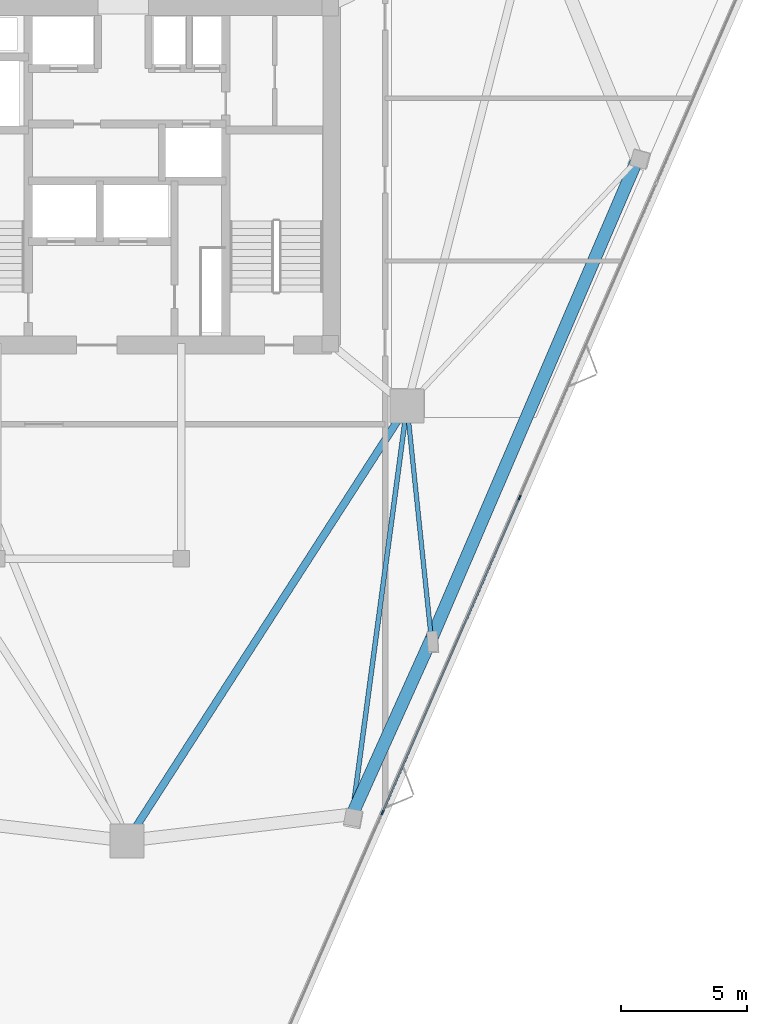
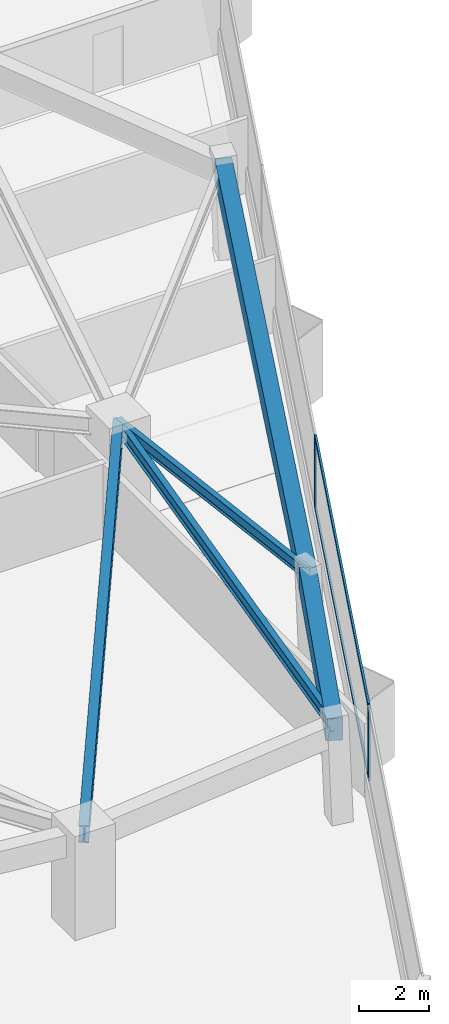
# One storey, part 4 of 12: 5 beams, 4 members, 1 element without a shape of its own.
"""IFC4 building model written with IfcOpenShell, lengths in metres."""

import ifcopenshell
import ifcopenshell.guid

model = None  # the IFC model being written
_history = None  # IfcOwnerHistory: only IFC2X3 demands one
_inside = {}  # id of a spatial element -> (the spatial element, [elements in it])
_under = {}  # id of a project, library or spatial element -> (it, [spatial elements below it])
_declared = {}  # id of a project -> (the project, [libraries it declares])
_typed = {}  # id of a type object -> (the type object, [elements of that type])
_made_of = {}  # id of a material, layer set ... -> (it, [elements and type objects made of it])


def new_model(schema):
    """Start an empty IFC model of exactly this schema.

    Asked for "IFC4X3", IfcOpenShell would pick the latest addendum, in which some entities
    have other attributes; the version numbers below select the first issue.
    IFC2X3 requires an IfcOwnerHistory on every rooted entity: one is made here for all.
    """
    global model, _history
    if schema == "IFC4X3":
        model = ifcopenshell.file(schema_version=(4, 3, 0, 0))
    else:
        model = ifcopenshell.file(schema=schema)
    _inside.clear()
    _under.clear()
    _declared.clear()
    _typed.clear()
    _made_of.clear()
    _history = None
    if model.schema == "IFC2X3":
        org = make("IfcOrganization", Name="unknown")
        user = make(
            "IfcPersonAndOrganization",
            ThePerson=make("IfcPerson", FamilyName="unknown"),
            TheOrganization=org,
        )
        app = make(
            "IfcApplication",
            ApplicationDeveloper=org,
            Version="unknown",
            ApplicationFullName="unknown",
            ApplicationIdentifier="unknown",
        )
        _history = make(
            "IfcOwnerHistory",
            OwningUser=user,
            OwningApplication=app,
            ChangeAction="ADDED",
            CreationDate=0,
        )
    return model


def make(cls, **values):
    """One entity of the class cls with the attributes given. An attribute that is None is left unset."""
    return model.create_entity(
        cls, **{name: value for name, value in values.items() if value is not None}
    )


def rooted(cls, **values):
    """An entity with a GlobalId (a new one), such as an element, a storey or a relation."""
    return make(cls, GlobalId=ifcopenshell.guid.new(), OwnerHistory=_history, **values)


def si_unit(unit_type, name, prefix=None):
    """IfcSIUnit, for example si_unit("LENGTHUNIT", "METRE", prefix="MILLI")."""
    return make("IfcSIUnit", UnitType=unit_type, Prefix=prefix, Name=name)


def assignment(units):
    """IfcUnitAssignment: the units of a project."""
    return None if units is None else make("IfcUnitAssignment", Units=units)


def point(xyz):
    """IfcCartesianPoint."""
    return None if xyz is None else make("IfcCartesianPoint", Coordinates=xyz)


def direction(xyz):
    """IfcDirection."""
    return None if xyz is None else make("IfcDirection", DirectionRatios=xyz)


def frame(location, z_axis=None, x_axis=None):
    """IfcAxis2Placement3D, a coordinate frame: its origin and axes. An axis left out is left unset."""
    return make(
        "IfcAxis2Placement3D",
        Location=point(location),
        Axis=direction(z_axis),
        RefDirection=direction(x_axis),
    )


def frame_2d(location, x_axis=None):
    """IfcAxis2Placement2D, a coordinate frame in the plane: its origin and x axis."""
    return make(
        "IfcAxis2Placement2D", Location=point(location), RefDirection=direction(x_axis)
    )


def origin():
    """The frame at (0, 0, 0) with its axes left unset."""
    return frame((0.0, 0.0, 0.0))


def origin_2d():
    """The frame at (0, 0) in the plane with its x axis left unset."""
    return frame_2d((0.0, 0.0))


def place(relative_to, where):
    """IfcLocalPlacement: puts the frame where relative to a parent placement (None: the world)."""
    return make(
        "IfcLocalPlacement", PlacementRelTo=relative_to, RelativePlacement=where
    )


def context(
    kind, dimensions, precision=None, world=None, true_north=None, identifier=None
):
    """IfcGeometricRepresentationContext, for example the 3D "Model" context."""
    return make(
        "IfcGeometricRepresentationContext",
        ContextIdentifier=identifier,
        ContextType=kind,
        CoordinateSpaceDimension=dimensions,
        Precision=precision,
        WorldCoordinateSystem=world,
        TrueNorth=true_north,
    )


def subcontext(parent, identifier, kind, view, scale=None):
    """IfcGeometricRepresentationSubContext, for example "Body" below "Model"."""
    return make(
        "IfcGeometricRepresentationSubContext",
        ContextIdentifier=identifier,
        ContextType=kind,
        ParentContext=parent,
        TargetScale=scale,
        TargetView=view,
    )


def project(units=None, contexts=None):
    """IfcProject with its units and contexts."""
    return rooted(
        "IfcProject",
        Name="project",
        RepresentationContexts=contexts,
        UnitsInContext=assignment(units),
    )


def spatial(cls, under=None, at=None, **own):
    """A site, building, storey or space (cls), placed at a placement, below another one or the project."""
    s = rooted(cls, ObjectPlacement=at, **own)
    if under is not None:
        _under.setdefault(under.id(), (under, []))[1].append(s)
    return s


def profile(cls, at=None, kind="AREA", **sizes):
    """A parametric profile (cls). Its sizes go by their IFC names, for example OverallWidth=200.0."""
    return make(cls, ProfileType=kind, Position=at, **sizes)


def rectangle(**sizes):
    """IfcRectangleProfileDef."""
    return profile("IfcRectangleProfileDef", **sizes)


def i_section(**sizes):
    """IfcIShapeProfileDef."""
    return profile("IfcIShapeProfileDef", **sizes)


def extrude(swept, where, along, depth):
    """IfcExtrudedAreaSolid: the profile swept, set in the frame where, extruded along a direction by depth."""
    return make(
        "IfcExtrudedAreaSolid",
        SweptArea=swept,
        Position=where,
        ExtrudedDirection=direction(along),
        Depth=depth,
    )


def shape(context_of_items, identifier, shape_type, items):
    """IfcShapeRepresentation: the items that make up one representation, for example the "Body"."""
    return make(
        "IfcShapeRepresentation",
        ContextOfItems=context_of_items,
        RepresentationIdentifier=identifier,
        RepresentationType=shape_type,
        Items=items,
    )


def material(Name=None, Category=None):
    """IfcMaterial."""
    return make("IfcMaterial", Name=Name, Category=Category)


def layer(
    of_material, thickness, ventilated=None, Name=None, Category=None, Priority=None
):
    """IfcMaterialLayer: one layer of a wall or slab, of a material (None: an air gap)."""
    return make(
        "IfcMaterialLayer",
        Material=of_material,
        LayerThickness=thickness,
        IsVentilated=ventilated,
        Name=Name,
        Category=Category,
        Priority=Priority,
    )


def layer_set(layers, Name=None):
    """IfcMaterialLayerSet."""
    return make("IfcMaterialLayerSet", MaterialLayers=layers, LayerSetName=Name)


def material_profile(
    of_material, cross_section, Name=None, Category=None, Priority=None
):
    """IfcMaterialProfile: a cross section and its material."""
    return make(
        "IfcMaterialProfile",
        Name=Name,
        Material=of_material,
        Profile=cross_section,
        Priority=Priority,
        Category=Category,
    )


def profile_set(profiles, Name=None, composite=None):
    """IfcMaterialProfileSet."""
    return make(
        "IfcMaterialProfileSet",
        Name=Name,
        MaterialProfiles=profiles,
        CompositeProfile=composite,
    )


def made_of(thing, what):
    """Note that an element or type object is made of a material, layer set ...; save() writes the relation."""
    if what is not None:
        _made_of.setdefault(what.id(), (what, []))[1].append(thing)
    return thing


def type_object(cls, material=None, **own):
    """A type object (cls), such as IfcWallType, which elements share."""
    return made_of(rooted(cls, **own), material)


def element(
    cls,
    number,
    at=None,
    inside=None,
    cuts=None,
    type_object=None,
    material=None,
    context=None,
    identifier="Body",
    shape_type=None,
    held_by="IfcProductDefinitionShape",
    body=None,
    shapes=None,
    **own,
):
    """One element of the class cls, such as IfcWall. Its Tag is "e" and its number.

    at: its placement. inside: the storey or other place that contains it. cuts: it is an
    opening in that element (IfcRelVoidsElement). A single representation is given by context,
    identifier, shape_type and body (its items); several are given by shapes. held_by: the class
    of the entity that holds the representations. save() writes the other relations.
    """
    e = rooted(cls, Tag="e%d" % number, ObjectPlacement=at, **own)
    if body is not None:
        shapes = [shape(context, identifier, shape_type, body)]
    if shapes is not None:
        e.Representation = make(held_by, Representations=shapes)
    if inside is not None:
        _inside.setdefault(inside.id(), (inside, []))[1].append(e)
    if cuts is not None:
        rooted(
            "IfcRelVoidsElement", RelatingBuildingElement=cuts, RelatedOpeningElement=e
        )
    if type_object is not None:
        _typed.setdefault(type_object.id(), (type_object, []))[1].append(e)
    return made_of(e, material)


def aggregate(whole, parts):
    """IfcRelAggregates: a whole, such as a stair, and the parts it consists of."""
    return rooted("IfcRelAggregates", RelatingObject=whole, RelatedObjects=parts)


def save(model, path):
    """Write the relations noted so far, then the file.

    IfcRelAggregates (storeys below a building ...), IfcRelContainedInSpatialStructure (elements
    in a storey), IfcRelDefinesByType, IfcRelAssociatesMaterial and IfcRelDeclares: one each for
    every whole, place, type object, material and project.
    """
    for whole, parts in _under.values():
        aggregate(whole, parts)
    for where, things in _inside.values():
        rooted(
            "IfcRelContainedInSpatialStructure",
            RelatedElements=things,
            RelatingStructure=where,
        )
    for kind, things in _typed.values():
        rooted("IfcRelDefinesByType", RelatedObjects=things, RelatingType=kind)
    for what, things in _made_of.values():
        rooted("IfcRelAssociatesMaterial", RelatedObjects=things, RelatingMaterial=what)
    for by, libraries in _declared.values():
        rooted("IfcRelDeclares", RelatingContext=by, RelatedDefinitions=libraries)
    model.write(path)


model = new_model("IFC4")

# Units and contexts
model_context = context("Model", 3, precision=1e-05, world=origin(), true_north=direction((0.0, 1.0)))
body_context = subcontext(model_context, "Body", "Model", "MODEL_VIEW")
ifc_project = project(units=[si_unit("LENGTHUNIT", "METRE"), si_unit("AREAUNIT", "SQUARE_METRE"), si_unit("VOLUMEUNIT", "CUBIC_METRE"), si_unit("PLANEANGLEUNIT", "RADIAN"), si_unit("MASSUNIT", "GRAM", prefix="KILO")], contexts=[model_context])

# Site, building, storey
site_placement = place(None, origin())
site = spatial("IfcSite", under=ifc_project, at=site_placement, CompositionType="ELEMENT")
building_placement = place(site_placement, origin())
building = spatial("IfcBuilding", under=site, at=building_placement, Name="Talyreon Biosciences Tower", CompositionType="ELEMENT")
storey_placement = place(building_placement, frame((0.0, 0.0, 179.39990234375)))
storey = spatial("IfcBuildingStorey", under=building, at=storey_placement, Name="L47", CompositionType="ELEMENT", Elevation=179.39990234375)

# Curtain wall, members
ifc_material_1 = material(Name="Thermally broken aluminium and low-E glazing", Category="aluminium")
ifc_layer = layer(ifc_material_1, 0.179931640625)
ifc_layer_set = layer_set([ifc_layer], Name="Thermally broken aluminium and low-E glazing")
curtain_wall_type = type_object("IfcCurtainWallType", Name="CurtainWall_Zone4Optical", PredefinedType="NOTDEFINED", material=ifc_layer_set)
curtain_wall_placement = place(storey_placement, origin())
curtain_wall = element("IfcCurtainWall", 1, at=curtain_wall_placement, inside=storey, type_object=curtain_wall_type, Name="L47 Unitised Curtain Wall FCW-L47-08", PredefinedType="NOTDEFINED")
ifc_material_2 = material(Name="Anodised thermally broken aluminium", Category="aluminium")
ifc_material_profile_1 = material_profile(ifc_material_2, rectangle(XDim=0.06494140625, YDim=0.179931640625, at=origin_2d()), Name="ALUM MULLION 65x180")
ifc_profile_set_1 = profile_set([ifc_material_profile_1], Name="Anodised thermally broken aluminium")
member_type_1 = type_object("IfcMemberType", Name="CWMullion_65x180", PredefinedType="MULLION", material=ifc_profile_set_1)
member_1_placement = place(storey_placement, frame((81.54248046875, 55.251953125, 0.81005859375), z_axis=(0.0, 0.0, 1.0), x_axis=(0.916912184291, -0.399089020519, 0.0)))
member_1 = element("IfcMember", 2, at=member_1_placement, type_object=member_type_1, Name="CW5 mullion 3", PredefinedType="MULLION", context=body_context, shape_type="SweptSolid", body=[
    extrude(rectangle(XDim=0.06494140625, YDim=0.179931640625, at=origin_2d()), origin(), (0.0, 0.0, 1.0), 2.590087890625),
])
member_2_placement = place(storey_placement, frame((76.11865234375, 42.7900390625, 0.81005859375), z_axis=(0.0, 0.0, 1.0), x_axis=(0.916912184291, -0.399089020519, 0.0)))
member_2 = element("IfcMember", 3, at=member_2_placement, type_object=member_type_1, Name="CW5 mullion 4", PredefinedType="MULLION", context=body_context, shape_type="SweptSolid", body=[
    extrude(rectangle(XDim=0.06494140625, YDim=0.179931640625, at=origin_2d()), origin(), (0.0, 0.0, 1.0), 2.590087890625),
])
ifc_material_profile_2 = material_profile(ifc_material_2, rectangle(XDim=0.06494140625, YDim=0.139892578125, at=origin_2d()), Name="ALUM TRANSOM 65x140")
ifc_profile_set_2 = profile_set([ifc_material_profile_2], Name="Anodised thermally broken aluminium")
member_type_2 = type_object("IfcMemberType", Name="CWTransom_65x140", PredefinedType="USERDEFINED", material=ifc_profile_set_2)
member_3_placement = place(storey_placement, frame((81.529541015625, 55.22216796875, 0.842529296875), z_axis=(-0.399075882405, -0.916917902586, 0.0), x_axis=(0.916917902586, -0.399075882405, 0.0)))
member_3 = element("IfcMember", 4, at=member_3_placement, type_object=member_type_2, Name="CW5 transom 3.1", ObjectType="TRANSOM", PredefinedType="USERDEFINED", context=body_context, shape_type="SweptSolid", body=[
    extrude(rectangle(XDim=0.06494140625, YDim=0.139892578125, at=origin_2d()), origin(), (0.0, 0.0, 1.0), 13.526123046875),
])
member_4_placement = place(storey_placement, frame((81.529541015625, 55.22216796875, 3.36767578125), z_axis=(-0.399075882405, -0.916917902586, 0.0), x_axis=(0.916917902586, -0.399075882405, 0.0)))
member_4 = element("IfcMember", 5, at=member_4_placement, type_object=member_type_2, Name="CW5 transom 3.2", ObjectType="TRANSOM", PredefinedType="USERDEFINED", context=body_context, shape_type="SweptSolid", body=[
    extrude(rectangle(XDim=0.06494140625, YDim=0.139892578125, at=origin_2d()), origin(), (0.0, 0.0, 1.0), 13.526123046875),
])
aggregate(curtain_wall, [member_1, member_2, member_3, member_4])

# Beams
ifc_material_3 = material(Name="Precast concrete C45/55", Category="concrete")
ifc_material_profile_3 = material_profile(ifc_material_3, rectangle(XDim=0.5, YDim=0.780029296875, at=origin_2d()), Name="RCB 500x780")
ifc_profile_set_3 = profile_set([ifc_material_profile_3], Name="Precast concrete C45/55")
beam_type_1 = type_object("IfcBeamType", Name="ExpressedSpandrel_500x780", PredefinedType="SPANDREL", material=ifc_profile_set_3)
beam_1_placement = place(storey_placement, frame((74.92041015625, 42.718505859375, 3.010009765625), z_axis=(0.411126044494, 0.911578507611, 0.0), x_axis=(-0.911578507611, 0.411126044494, 0.0)))
element("IfcBeam", 6, at=beam_1_placement, inside=storey, type_object=beam_type_1, Name="L47 Expressed Horizontal Concrete Spandrel 02", PredefinedType="SPANDREL", context=body_context, shape_type="SweptSolid", body=[
    extrude(rectangle(XDim=0.5, YDim=0.780029296875, at=origin_2d()), origin(), (0.0, 0.0, 1.0), 7.61181640625),
])
beam_2_placement = place(storey_placement, frame((78.0498046875, 49.6572265625, 3.010009765625), z_axis=(0.394643729795, 0.918834221464, 0.0), x_axis=(-0.918834221464, 0.394643729795, 0.0)))
element("IfcBeam", 7, at=beam_2_placement, inside=storey, type_object=beam_type_1, Name="L47 Expressed Horizontal Concrete Spandrel 03", PredefinedType="SPANDREL", context=body_context, shape_type="SweptSolid", body=[
    extrude(rectangle(XDim=0.5, YDim=0.780029296875, at=origin_2d()), origin(), (0.0, 0.0, 1.0), 20.65869140625),
])
ifc_material_4 = material(Name="Steel SM355", Category="steel")
ifc_material_profile_4 = material_profile(ifc_material_4, i_section(OverallWidth=0.300048828125, OverallDepth=0.60009765625, WebThickness=0.015380859375, FlangeThickness=0.030029296875, FilletRadius=0.027099609375, at=origin_2d()), Name="HE600B")
ifc_profile_set_4 = profile_set([ifc_material_profile_4], Name="Steel SM355")
beam_type_2 = type_object("IfcBeamType", Name="SteelBeam_HE600B", PredefinedType="BEAM", material=ifc_profile_set_4)
beam_3_placement = place(storey_placement, frame((66.0, 41.6669921875, 3.10009765625), z_axis=(0.541463723609, 0.840724114092, 0.0), x_axis=(-0.840724114092, 0.541463723609, 0.0)))
element("IfcBeam", 8, at=beam_3_placement, inside=storey, type_object=beam_type_2, Name="L47 Mega-Ring Girder 1", PredefinedType="BEAM", context=body_context, shape_type="SweptSolid", body=[
    extrude(i_section(OverallWidth=0.300048828125, OverallDepth=0.60009765625, WebThickness=0.015380859375, FlangeThickness=0.030029296875, FilletRadius=0.027099609375, at=origin_2d()), origin(), (0.0, 0.0, 1.0), 20.474365234375),
])
ifc_material_profile_5 = material_profile(ifc_material_4, i_section(OverallWidth=0.179931640625, OverallDepth=0.39990234375, WebThickness=0.008544921875, FlangeThickness=0.013427734375, FilletRadius=0.02099609375, at=origin_2d()), Name="IPE400")
ifc_profile_set_5 = profile_set([ifc_material_profile_5], Name="Steel SM355")
beam_type_3 = type_object("IfcBeamType", Name="SteelJoist_IPE400", PredefinedType="JOIST", material=ifc_profile_set_5)
beam_4_placement = place(storey_placement, frame((77.086181640625, 58.88037109375, 3.2001953125), z_axis=(0.103913187739, -0.994586371018, 0.0), x_axis=(0.994586371018, 0.103913187739, 0.0)))
element("IfcBeam", 9, at=beam_4_placement, inside=storey, type_object=beam_type_3, Name="L47 Radial Composite Floor Joist PL-SE", PredefinedType="JOIST", context=body_context, shape_type="SweptSolid", body=[
    extrude(i_section(OverallWidth=0.179931640625, OverallDepth=0.39990234375, WebThickness=0.008544921875, FlangeThickness=0.013427734375, FilletRadius=0.02099609375, at=origin_2d()), origin(), (0.0, 0.0, 1.0), 9.2734375),
])
ifc_material_profile_6 = material_profile(ifc_material_4, i_section(OverallWidth=0.18994140625, OverallDepth=0.449951171875, WebThickness=0.009521484375, FlangeThickness=0.0146484375, FilletRadius=0.02099609375, at=origin_2d()), Name="IPE450")
ifc_profile_set_6 = profile_set([ifc_material_profile_6], Name="Steel SM355")
beam_type_4 = type_object("IfcBeamType", Name="SteelJoist_IPE450", PredefinedType="JOIST", material=ifc_profile_set_6)
beam_5_placement = place(storey_placement, frame((77.086181640625, 58.88037109375, 3.175048828125), z_axis=(-0.132817823305, -0.991140467246, 0.0), x_axis=(0.991140467246, -0.132817823305, 0.0)))
element("IfcBeam", 10, at=beam_5_placement, inside=storey, type_object=beam_type_4, Name="L47 Radial Composite Floor Joist PC-SE1", PredefinedType="JOIST", context=body_context, shape_type="SweptSolid", body=[
    extrude(i_section(OverallWidth=0.18994140625, OverallDepth=0.449951171875, WebThickness=0.009521484375, FlangeThickness=0.0146484375, FilletRadius=0.02099609375, at=origin_2d()), origin(), (0.0, 0.0, 1.0), 16.306396484375),
])

save(model, "model.ifc")
